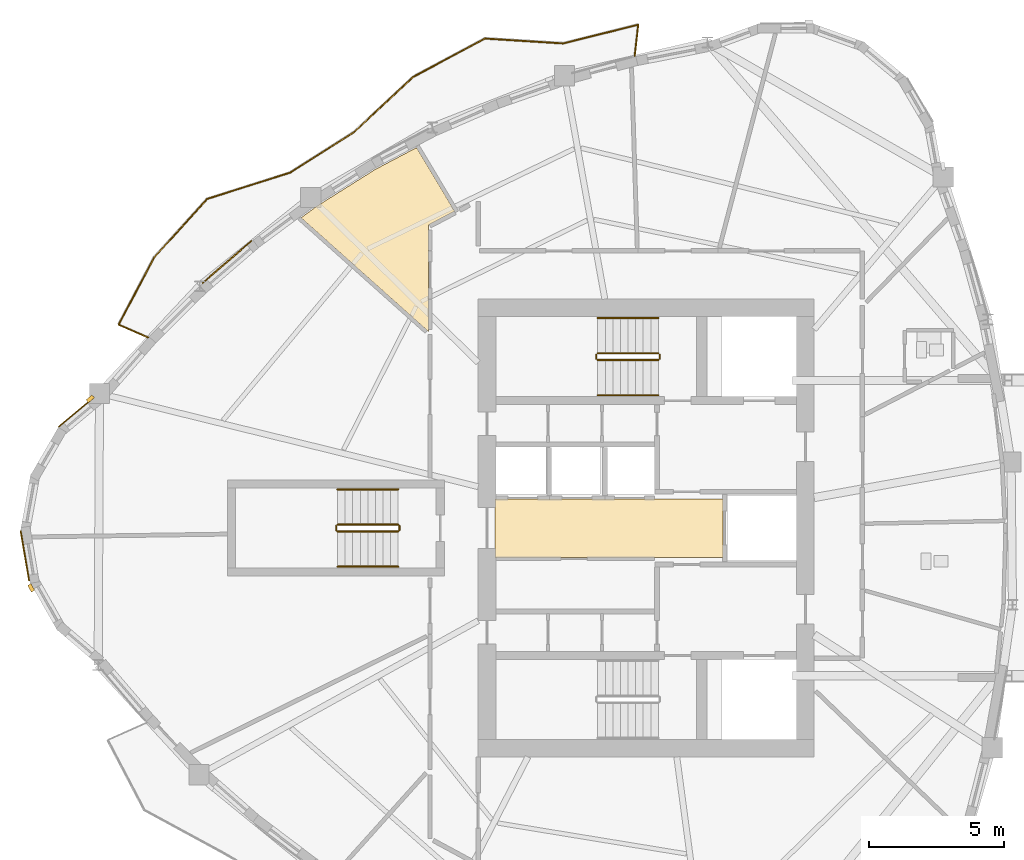
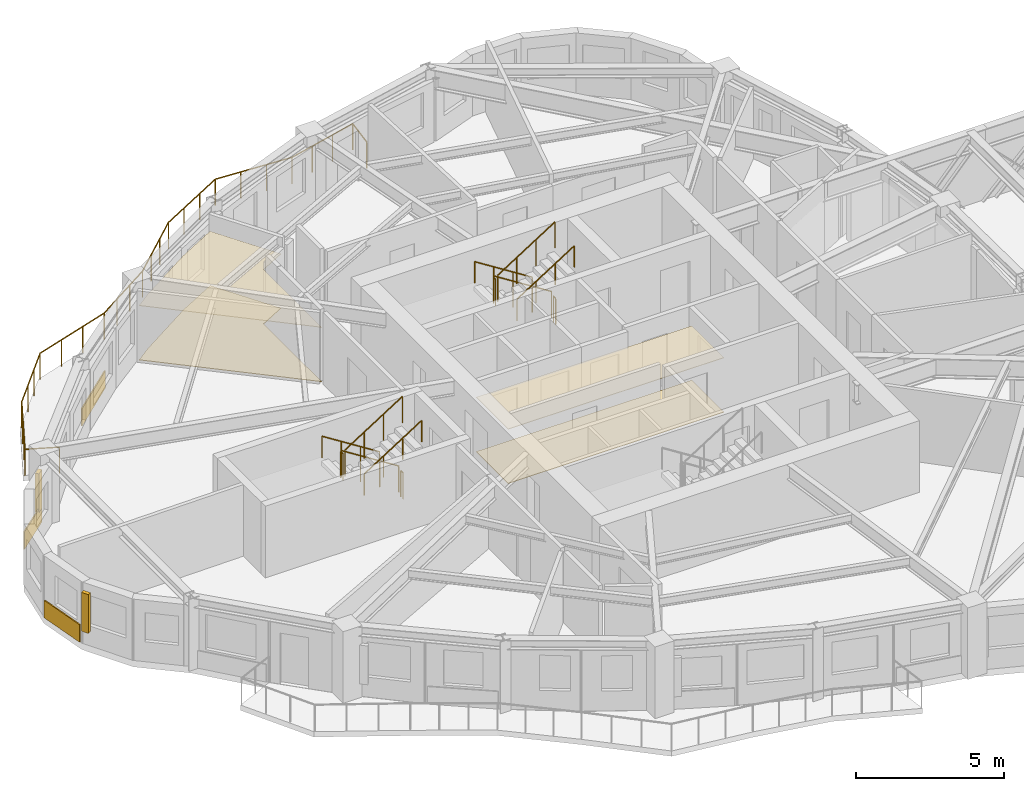
# One storey, part 11 of 13: 13 railings, 7 coverings, 2 shading devices.
"""IFC4 building model written with IfcOpenShell, lengths in metres."""

from ifc_helpers import new_model, si_unit, direction, frame, origin, origin_2d, place, context, subcontext, project, spatial, polyline, rectangle, circle, outline, extrude, source, transform, mapped, material, layer, layer_set, type_object, element, save


model = new_model("IFC4")

# Units and contexts
model_context = context("Model", 3, precision=1e-05, world=origin(), true_north=direction((0.0, 1.0)))
body_context = subcontext(model_context, "Body", "Model", "MODEL_VIEW")
ifc_project = project(units=[si_unit("LENGTHUNIT", "METRE"), si_unit("AREAUNIT", "SQUARE_METRE"), si_unit("VOLUMEUNIT", "CUBIC_METRE"), si_unit("PLANEANGLEUNIT", "RADIAN"), si_unit("MASSUNIT", "GRAM", prefix="KILO")], contexts=[model_context])

# Site, building, storey
site_placement = place(None, origin())
site = spatial("IfcSite", under=ifc_project, at=site_placement, CompositionType="ELEMENT")
building_placement = place(site_placement, origin())
building = spatial("IfcBuilding", under=site, at=building_placement, Name="Qafzar Sky-Pleat Residences", CompositionType="ELEMENT")
storey_placement = place(building_placement, frame((0.0, 0.0, 158.60009765625)))
storey = spatial("IfcBuildingStorey", under=building, at=storey_placement, Name="L47", CompositionType="ELEMENT", Elevation=158.60009765625)

# Coverings
ifc_material_1 = material(Name="Perforated acoustic gypsum board ceiling")
ifc_layer_1 = layer(ifc_material_1, 0.02001953125)
ifc_layer_set_1 = layer_set([ifc_layer_1], Name="Perforated acoustic gypsum board ceiling")
covering_type_1 = type_object("IfcCoveringType", Name="COV-CEIL-ACOUSTIC", PredefinedType="CEILING", material=ifc_layer_set_1)
covering_1_placement = place(storey_placement, frame((0.0, 0.0, 2.239990234375)))
element("IfcCovering", 1, at=covering_1_placement, inside=storey, type_object=covering_type_1, Name="L47 Passenger Lift Lobby Acoustic Ceiling", PredefinedType="CEILING", context=body_context, shape_type="SweptSolid", body=[
    extrude(outline(polyline([(33.179931640625, 24.919921875), (24.77001953125, 24.919921875), (24.77001953125, 27.080078125), (33.179931640625, 27.080078125), (33.179931640625, 24.919921875)])), origin(), (0.0, 0.0, 1.0), 0.02001953125),
])
covering_2_placement = place(storey_placement, frame((0.0, 0.0, 2.239990234375)))
element("IfcCovering", 2, at=covering_2_placement, inside=storey, type_object=covering_type_1, Name="L47 Communal Kitchen Acoustic Ceiling", PredefinedType="CEILING", context=body_context, shape_type="SweptSolid", body=[
    extrude(outline(polyline([(18.1875, 37.873291015625), (20.35693359375, 39.238037109375), (21.875244140625, 40.039306640625), (23.279296875, 37.693603515625), (22.31005859375, 37.181884765625), (22.31005859375, 33.2578125), (17.614990234375, 37.44921875), (18.1875, 37.873291015625)])), origin(), (0.0, 0.0, 1.0), 0.02001953125),
])
ifc_material_2 = material(Name="Honed porcelain and Riyadh stone tile flooring", Category="masonry")
ifc_layer_2 = layer(ifc_material_2, 0.02001953125)
ifc_layer_set_2 = layer_set([ifc_layer_2], Name="Honed porcelain and Riyadh stone tile flooring")
covering_type_2 = type_object("IfcCoveringType", Name="COV-FLR-PORCELAIN", PredefinedType="FLOORING", material=ifc_layer_set_2)
covering_3_placement = place(storey_placement, origin())
element("IfcCovering", 3, at=covering_3_placement, inside=storey, type_object=covering_type_2, Name="L47 Passenger Lift Lobby Honed Stone Flooring", PredefinedType="FLOORING", context=body_context, shape_type="SweptSolid", body=[
    extrude(outline(polyline([(33.179931640625, 24.919921875), (24.77001953125, 24.919921875), (24.77001953125, 27.080078125), (33.179931640625, 27.080078125), (33.179931640625, 24.919921875)])), origin(), (0.0, 0.0, 1.0), 0.02001953125),
])
covering_4_placement = place(storey_placement, origin())
element("IfcCovering", 4, at=covering_4_placement, inside=storey, type_object=covering_type_2, Name="L47 Communal Kitchen Honed Stone Flooring", PredefinedType="FLOORING", context=body_context, shape_type="SweptSolid", body=[
    extrude(outline(polyline([(18.1875, 37.873291015625), (20.35693359375, 39.238037109375), (21.875244140625, 40.039306640625), (23.279296875, 37.693603515625), (22.31005859375, 37.181884765625), (22.31005859375, 33.2578125), (17.614990234375, 37.44921875), (18.1875, 37.873291015625)])), origin(), (0.0, 0.0, 1.0), 0.02001953125),
])

# Shading devices
ifc_material_3 = material(Name="Honed Riyadh limestone solar fin", Category="masonry")
ifc_layer_3 = layer(ifc_material_3, 0.139892578125)
ifc_layer_set_3 = layer_set([ifc_layer_3], Name="Honed Riyadh limestone solar fin")
shading_device_type = type_object("IfcShadingDeviceType", Name="SHD-FIN-STONE", PredefinedType="SHUTTER", material=ifc_layer_set_3)
shared_shape_1 = source(origin(), body_context, "Body", "SweptSolid", [
    extrude(rectangle(XDim=0.139892578125, YDim=0.280029296875, at=origin_2d()), origin(), (0.0, 0.0, 1.0), 1.60009765625),
])
for number, where, z_axis, x_axis, name in (
    (5, (9.833740234375, 30.767333984375, 0.599853515625), (0.0, 0.0, 1.0), (-0.642203231287, 0.766534415225, 0.0), "L47 Limestone Solar Fin 1"),
    (6, (7.65185546875, 23.7919921875, 0.599853515625), (0.0, 0.0, 1.0), (-0.86961473554, -0.493730910245, 0.0), "L47 Limestone Solar Fin 5"),
):
    element("IfcShadingDevice", number, at=place(storey_placement, frame(where, z_axis=z_axis, x_axis=x_axis)), inside=storey, type_object=shading_device_type, Name=name, PredefinedType="SHUTTER", context=body_context, shape_type="MappedRepresentation", body=[
        mapped(shared_shape_1, transform((0.0, 0.0, 0.0), x_axis=(1.0, 0.0, 0.0), y_axis=(0.0, 1.0, 0.0), z_axis=(0.0, 0.0, 1.0), scale=1.0)),
    ])

# Covering
ifc_material_4 = material(Name="Honed Riyadh Tuwaiq limestone cladding", Category="masonry")
ifc_layer_4 = layer(ifc_material_4, 0.044921875)
ifc_layer_set_4 = layer_set([ifc_layer_4], Name="Honed Riyadh Tuwaiq limestone cladding")
covering_type_3 = type_object("IfcCoveringType", Name="COV-CLAD-STONE", PredefinedType="CLADDING", material=ifc_layer_set_4)
shared_shape_2 = source(origin(), body_context, "Body", "SweptSolid", [
    extrude(rectangle(XDim=1.873046875, YDim=0.044921875, at=origin_2d()), origin(), (0.0, 0.0, 1.0), 0.719970703125),
])
covering_5_placement = place(storey_placement, frame((7.420654296875, 24.98046875, 0.02001953125), z_axis=(0.0, 0.0, 1.0), x_axis=(0.168083505524, -0.985772760412, 0.0)))
element("IfcCovering", 7, at=covering_5_placement, inside=storey, type_object=covering_type_3, Name="L47 Riyadh Limestone Spandrel Cladding 4", PredefinedType="CLADDING", context=body_context, shape_type="MappedRepresentation", body=[
    mapped(shared_shape_2, transform((0.0, 0.0, 0.0), x_axis=(1.0, 0.0, 0.0), y_axis=(0.0, 1.0, 0.0), z_axis=(0.0, 0.0, 1.0), scale=1.0)),
])

# Railing
ifc_material_5 = material(Name="Laminated glass and bronze steel balustrade", Category="steel")
railing_type_1 = type_object("IfcRailingType", Name="RAIL-BAL-1100", PredefinedType="BALUSTRADE", material=ifc_material_5)
shared_shape_3 = source(origin(), body_context, "Body", "SweptSolid", [
    extrude(circle(Radius=0.02392578125, at=origin_2d()), frame((0.0, 0.0, 1.076171875), z_axis=(0.11004483681, 0.993926623998, 0.0), x_axis=(-0.993926623998, 0.11004483681, 0.0)), (0.0, 0.0, 1.0), 1.177978515625),
    extrude(circle(Radius=0.02392578125, at=origin_2d()), frame((0.129638671875, 1.1708984375, 1.076171875), z_axis=(-0.970082042591, -0.242777327284, 0.0), x_axis=(0.242777327284, -0.970082042591, 0.0)), (0.0, 0.0, 1.0), 2.851806640625),
    extrude(circle(Radius=0.02392578125, at=origin_2d()), frame((-2.636962890625, 0.478515625, 1.076171875), z_axis=(-0.998049951863, 0.062420297868, 0.0), x_axis=(-0.062420297868, -0.998049951863, 0.0)), (0.0, 0.0, 1.0), 2.894287109375),
    extrude(circle(Radius=0.02392578125, at=origin_2d()), frame((-5.525634765625, 0.6591796875, 1.076171875), z_axis=(-0.881675957054, -0.471855387542, 0.0), x_axis=(0.471855387542, -0.881675957054, 0.0)), (0.0, 0.0, 1.0), 2.998779296875),
    extrude(circle(Radius=0.02392578125, at=origin_2d()), frame((-8.169677734375, -0.755859375, 1.076171875), z_axis=(-0.731104069818, -0.68226595921, 0.0), x_axis=(0.68226595921, -0.731104069818, 0.0)), (0.0, 0.0, 1.0), 2.994384765625),
    extrude(circle(Radius=0.02392578125, at=origin_2d()), frame((-10.35888671875, -2.798828125, 1.076171875), z_axis=(-0.84478081751, -0.535112483845, 0.0), x_axis=(0.535112483845, -0.84478081751, 0.0)), (0.0, 0.0, 1.0), 2.78857421875),
    extrude(circle(Radius=0.02392578125, at=origin_2d()), frame((-12.714599609375, -4.291015625, 1.076171875), z_axis=(-0.95361375082, -0.301032912232, 0.0), x_axis=(0.301032912232, -0.95361375082, 0.0)), (0.0, 0.0, 1.0), 3.204345703125),
    extrude(circle(Radius=0.02392578125, at=origin_2d()), frame((-15.770263671875, -5.255615234375, 1.076171875), z_axis=(-0.671990754736, -0.740559535452, 0.0), x_axis=(0.740559535452, -0.671990754736, 0.0)), (0.0, 0.0, 1.0), 2.923095703125),
    extrude(circle(Radius=0.02392578125, at=origin_2d()), frame((-17.734619140625, -7.42041015625, 1.076171875), z_axis=(-0.466601399342, -0.884467712318, 0.0), x_axis=(0.884467712318, -0.466601399342, 0.0)), (0.0, 0.0, 1.0), 2.80029296875),
    extrude(circle(Radius=0.02392578125, at=origin_2d()), frame((-19.041259765625, -9.897216796875, 1.076171875), z_axis=(0.915724007861, -0.401807841422, 0.0), x_axis=(0.401807841422, 0.915724007861, 0.0)), (0.0, 0.0, 1.0), 1.17822265625),
    extrude(circle(Radius=0.02099609375, at=origin_2d()), origin(), (0.0, 0.0, 1.0), 1.052001953125),
    extrude(circle(Radius=0.02099609375, at=origin_2d()), frame((0.129638671875, 1.1708984375, 0.0)), (0.0, 0.0, 1.0), 1.052001953125),
    extrude(circle(Radius=0.02099609375, at=origin_2d()), frame((-0.79248046875, 0.940185546875, 0.0)), (0.0, 0.0, 1.0), 1.052001953125),
    extrude(circle(Radius=0.02099609375, at=origin_2d()), frame((-1.71484375, 0.709228515625, 0.0)), (0.0, 0.0, 1.0), 1.052001953125),
    extrude(circle(Radius=0.02099609375, at=origin_2d()), frame((-2.636962890625, 0.478515625, 0.0)), (0.0, 0.0, 1.0), 1.052001953125),
    extrude(circle(Radius=0.02099609375, at=origin_2d()), frame((-3.599853515625, 0.538818359375, 0.0)), (0.0, 0.0, 1.0), 1.052001953125),
    extrude(circle(Radius=0.02099609375, at=origin_2d()), frame((-4.562744140625, 0.598876953125, 0.0)), (0.0, 0.0, 1.0), 1.052001953125),
    extrude(circle(Radius=0.02099609375, at=origin_2d()), frame((-5.525634765625, 0.6591796875, 0.0)), (0.0, 0.0, 1.0), 1.052001953125),
    extrude(circle(Radius=0.02099609375, at=origin_2d()), frame((-6.406982421875, 0.1875, 0.0)), (0.0, 0.0, 1.0), 1.052001953125),
    extrude(circle(Radius=0.02099609375, at=origin_2d()), frame((-7.288330078125, -0.2841796875, 0.0)), (0.0, 0.0, 1.0), 1.052001953125),
    extrude(circle(Radius=0.02099609375, at=origin_2d()), frame((-8.169677734375, -0.755859375, 0.0)), (0.0, 0.0, 1.0), 1.052001953125),
    extrude(circle(Radius=0.02099609375, at=origin_2d()), frame((-8.8994140625, -1.436767578125, 0.0)), (0.0, 0.0, 1.0), 1.052001953125),
    extrude(circle(Radius=0.02099609375, at=origin_2d()), frame((-9.629150390625, -2.117919921875, 0.0)), (0.0, 0.0, 1.0), 1.052001953125),
    extrude(circle(Radius=0.02099609375, at=origin_2d()), frame((-10.35888671875, -2.798828125, 0.0)), (0.0, 0.0, 1.0), 1.052001953125),
    extrude(circle(Radius=0.02099609375, at=origin_2d()), frame((-11.14404296875, -3.296142578125, 0.0)), (0.0, 0.0, 1.0), 1.052001953125),
    extrude(circle(Radius=0.02099609375, at=origin_2d()), frame((-11.929443359375, -3.793701171875, 0.0)), (0.0, 0.0, 1.0), 1.052001953125),
    extrude(circle(Radius=0.02099609375, at=origin_2d()), frame((-12.714599609375, -4.291015625, 0.0)), (0.0, 0.0, 1.0), 1.052001953125),
    extrude(circle(Radius=0.02099609375, at=origin_2d()), frame((-13.733154296875, -4.612548828125, 0.0)), (0.0, 0.0, 1.0), 1.052001953125),
    extrude(circle(Radius=0.02099609375, at=origin_2d()), frame((-14.751708984375, -4.93408203125, 0.0)), (0.0, 0.0, 1.0), 1.052001953125),
    extrude(circle(Radius=0.02099609375, at=origin_2d()), frame((-15.770263671875, -5.255615234375, 0.0)), (0.0, 0.0, 1.0), 1.052001953125),
    extrude(circle(Radius=0.02099609375, at=origin_2d()), frame((-16.425048828125, -5.977294921875, 0.0)), (0.0, 0.0, 1.0), 1.052001953125),
    extrude(circle(Radius=0.02099609375, at=origin_2d()), frame((-17.079833984375, -6.69873046875, 0.0)), (0.0, 0.0, 1.0), 1.052001953125),
    extrude(circle(Radius=0.02099609375, at=origin_2d()), frame((-17.734619140625, -7.42041015625, 0.0)), (0.0, 0.0, 1.0), 1.052001953125),
    extrude(circle(Radius=0.02099609375, at=origin_2d()), frame((-18.170166015625, -8.24609375, 0.0)), (0.0, 0.0, 1.0), 1.052001953125),
    extrude(circle(Radius=0.02099609375, at=origin_2d()), frame((-18.605712890625, -9.071533203125, 0.0)), (0.0, 0.0, 1.0), 1.052001953125),
    extrude(circle(Radius=0.02099609375, at=origin_2d()), frame((-19.041259765625, -9.897216796875, 0.0)), (0.0, 0.0, 1.0), 1.052001953125),
    extrude(circle(Radius=0.02099609375, at=origin_2d()), frame((-17.96240234375, -10.37060546875, 0.0)), (0.0, 0.0, 1.0), 1.052001953125),
])
railing_placement = place(storey_placement, frame((29.92578125, 43.405517578125, 0.0)))
element("IfcRailing", 8, at=railing_placement, inside=storey, type_object=railing_type_1, Name="L47 Pleated Balcony 1 Balustrade", PredefinedType="BALUSTRADE", context=body_context, shape_type="MappedRepresentation", body=[
    mapped(shared_shape_3, transform((0.0, 0.0, 0.0), x_axis=(1.0, 0.0, 0.0), y_axis=(0.0, 1.0, 0.0), z_axis=(0.0, 0.0, 1.0), scale=1.0)),
])

# Coverings
shared_shape_4 = source(origin(), body_context, "Body", "SweptSolid", [
    extrude(rectangle(XDim=1.69921875, YDim=0.044921875, at=origin_2d()), origin(), (0.0, 0.0, 1.0), 0.719970703125),
])
covering_6_placement = place(storey_placement, frame((9.317138671875, 30.2783203125, 0.02001953125), z_axis=(0.0, 0.0, 1.0), x_axis=(-0.766569099279, -0.642161830095, 0.0)))
element("IfcCovering", 9, at=covering_6_placement, inside=storey, type_object=covering_type_3, Name="L47 Riyadh Limestone Spandrel Cladding 1", PredefinedType="CLADDING", context=body_context, shape_type="MappedRepresentation", body=[
    mapped(shared_shape_4, transform((0.0, 0.0, 0.0), x_axis=(1.0, 0.0, 0.0), y_axis=(0.0, 1.0, 0.0), z_axis=(0.0, 0.0, 1.0), scale=1.0)),
])
shared_shape_5 = source(origin(), body_context, "Body", "SweptSolid", [
    extrude(rectangle(XDim=2.3896484375, YDim=0.044921875, at=origin_2d()), origin(), (0.0, 0.0, 1.0), 0.719970703125),
])
covering_7_placement = place(storey_placement, frame((14.8798828125, 35.81884765625, 0.02001953125), z_axis=(0.0, 0.0, 1.0), x_axis=(-0.757480604113, -0.652857667791, 0.0)))
element("IfcCovering", 10, at=covering_7_placement, inside=storey, type_object=covering_type_3, Name="L47 Riyadh Limestone Spandrel Cladding 46", PredefinedType="CLADDING", context=body_context, shape_type="MappedRepresentation", body=[
    mapped(shared_shape_5, transform((0.0, 0.0, 0.0), x_axis=(1.0, 0.0, 0.0), y_axis=(0.0, 1.0, 0.0), z_axis=(0.0, 0.0, 1.0), scale=1.0)),
])

# Railings
ifc_material_6 = material(Name="Painted Steel S355 stair guardrail", Category="steel")
railing_type_2 = type_object("IfcRailingType", Name="RAIL-STAIR-GUARD", PredefinedType="GUARDRAIL", material=ifc_material_6)
shared_shape_6 = source(origin(), body_context, "Body", "SweptSolid", [
    extrude(circle(Radius=0.02392578125, at=origin_2d()), frame((0.0, 0.0, 1.076171875), z_axis=(0.0, -1.0, 0.0), x_axis=(1.0, 0.0, 0.0)), (0.0, 0.0, 1.0), 0.14990234375),
    extrude(circle(Radius=0.02099609375, at=origin_2d()), origin(), (0.0, 0.0, 1.0), 1.052001953125),
    extrude(circle(Radius=0.02099609375, at=origin_2d()), frame((0.0, -0.14990234375, 0.0)), (0.0, 0.0, 1.0), 1.052001953125),
])
for number, where, name in (
    (11, (28.510009765625, 32.39990234375, 1.599853515625), "L47 ST2 stair guard 2"),
    (12, (30.85009765625, 32.39990234375, 0.0), "L47 ST2 stair guard 4"),
    (13, (18.909912109375, 26.074951171875, 1.599853515625), "L47 ST3 stair guard 2"),
    (14, (21.25, 26.074951171875, 0.0), "L47 ST3 stair guard 4"),
):
    element("IfcRailing", number, at=place(storey_placement, frame(where)), inside=storey, type_object=railing_type_2, Name=name, PredefinedType="GUARDRAIL", context=body_context, shape_type="MappedRepresentation", body=[
        mapped(shared_shape_6, transform((0.0, 0.0, 0.0), x_axis=(1.0, 0.0, 0.0), y_axis=(0.0, 1.0, 0.0), z_axis=(0.0, 0.0, 1.0), scale=1.0)),
    ])
shared_shape_7 = source(origin(), body_context, "Body", "SweptSolid", [
    extrude(circle(Radius=0.02392578125, at=origin_2d()), frame((0.0, 0.0, 1.076171875), z_axis=(-0.8442293374, 0.0, 0.53598211339), x_axis=(0.0, -1.0, 0.0)), (0.0, 0.0, 1.0), 2.6533203125),
    extrude(circle(Radius=0.02099609375, at=origin_2d()), origin(), (0.0, 0.0, 1.0), 1.052001953125),
    extrude(circle(Radius=0.02099609375, at=origin_2d()), frame((-0.74658203125, 0.0, 0.47412109375)), (0.0, 0.0, 1.0), 1.052001953125),
    extrude(circle(Radius=0.02099609375, at=origin_2d()), frame((-1.493408203125, 0.0, 0.947998046875)), (0.0, 0.0, 1.0), 1.052001953125),
    extrude(circle(Radius=0.02099609375, at=origin_2d()), frame((-2.239990234375, 0.0, 1.422119140625)), (0.0, 0.0, 1.0), 1.052001953125),
])
for number, where, name in (
    (15, (30.800048828125, 32.449951171875, 0.177734375), "L47 ST2 stair guard 1"),
    (16, (21.199951171875, 26.125, 0.177734375), "L47 ST3 stair guard 1"),
):
    element("IfcRailing", number, at=place(storey_placement, frame(where)), inside=storey, type_object=railing_type_2, Name=name, PredefinedType="GUARDRAIL", context=body_context, shape_type="MappedRepresentation", body=[
        mapped(shared_shape_7, transform((0.0, 0.0, 0.0), x_axis=(1.0, 0.0, 0.0), y_axis=(0.0, 1.0, 0.0), z_axis=(0.0, 0.0, 1.0), scale=1.0)),
    ])
ifc_material_7 = material(Name="Brushed stainless steel handrail", Category="steel")
railing_type_3 = type_object("IfcRailingType", Name="RAIL-STAIR-HAND", PredefinedType="HANDRAIL", material=ifc_material_7)
shared_shape_8 = source(origin(), body_context, "Body", "SweptSolid", [
    extrude(circle(Radius=0.02392578125, at=origin_2d()), frame((0.0, 0.0, 0.8759765625), z_axis=(-0.8442293374, 0.0, 0.53598211339), x_axis=(0.0, -1.0, 0.0)), (0.0, 0.0, 1.0), 2.6533203125),
    extrude(circle(Radius=0.02099609375, at=origin_2d()), origin(), (0.0, 0.0, 1.0), 0.851806640625),
    extrude(circle(Radius=0.02099609375, at=origin_2d()), frame((-0.74658203125, 0.0, 0.47412109375)), (0.0, 0.0, 1.0), 0.851806640625),
    extrude(circle(Radius=0.02099609375, at=origin_2d()), frame((-1.493408203125, 0.0, 0.947998046875)), (0.0, 0.0, 1.0), 0.851806640625),
    extrude(circle(Radius=0.02099609375, at=origin_2d()), frame((-2.239990234375, 0.0, 1.422119140625)), (0.0, 0.0, 1.0), 0.851806640625),
])
for number, where, name in (
    (17, (30.800048828125, 33.75, 0.177734375), "L47 ST2 stair handrail 1"),
    (18, (21.199951171875, 27.425048828125, 0.177734375), "L47 ST3 stair handrail 1"),
):
    element("IfcRailing", number, at=place(storey_placement, frame(where)), inside=storey, type_object=railing_type_3, Name=name, PredefinedType="HANDRAIL", context=body_context, shape_type="MappedRepresentation", body=[
        mapped(shared_shape_8, transform((0.0, 0.0, 0.0), x_axis=(1.0, 0.0, 0.0), y_axis=(0.0, 1.0, 0.0), z_axis=(0.0, 0.0, 1.0), scale=1.0)),
    ])
shared_shape_9 = source(origin(), body_context, "Body", "SweptSolid", [
    extrude(circle(Radius=0.02392578125, at=origin_2d()), frame((0.0, 0.0, 1.076171875), z_axis=(0.84418770128, 0.0, 0.536047689118), x_axis=(0.0, 1.0, 0.0)), (0.0, 0.0, 1.0), 2.6533203125),
    extrude(circle(Radius=0.02099609375, at=origin_2d()), origin(), (0.0, 0.0, 1.0), 1.052001953125),
    extrude(circle(Radius=0.02099609375, at=origin_2d()), frame((0.74658203125, 0.0, 0.47412109375)), (0.0, 0.0, 1.0), 1.052001953125),
    extrude(circle(Radius=0.02099609375, at=origin_2d()), frame((1.493408203125, 0.0, 0.9482421875)), (0.0, 0.0, 1.0), 1.052001953125),
    extrude(circle(Radius=0.02099609375, at=origin_2d()), frame((2.239990234375, 0.0, 1.42236328125)), (0.0, 0.0, 1.0), 1.052001953125),
])
for number, where, name in (
    (19, (28.56005859375, 32.199951171875, 1.777587890625), "L47 ST2 stair guard 3"),
    (20, (18.9599609375, 25.875, 1.777587890625), "L47 ST3 stair guard 3"),
):
    element("IfcRailing", number, at=place(storey_placement, frame(where)), inside=storey, type_object=railing_type_2, Name=name, PredefinedType="GUARDRAIL", context=body_context, shape_type="MappedRepresentation", body=[
        mapped(shared_shape_9, transform((0.0, 0.0, 0.0), x_axis=(1.0, 0.0, 0.0), y_axis=(0.0, 1.0, 0.0), z_axis=(0.0, 0.0, 1.0), scale=1.0)),
    ])
shared_shape_10 = source(origin(), body_context, "Body", "SweptSolid", [
    extrude(circle(Radius=0.02392578125, at=origin_2d()), frame((0.0, 0.0, 0.8759765625), z_axis=(0.84418770128, 0.0, 0.536047689118), x_axis=(0.0, 1.0, 0.0)), (0.0, 0.0, 1.0), 2.6533203125),
    extrude(circle(Radius=0.02099609375, at=origin_2d()), origin(), (0.0, 0.0, 1.0), 0.851806640625),
    extrude(circle(Radius=0.02099609375, at=origin_2d()), frame((0.74658203125, 0.0, 0.47412109375)), (0.0, 0.0, 1.0), 0.851806640625),
    extrude(circle(Radius=0.02099609375, at=origin_2d()), frame((1.493408203125, 0.0, 0.9482421875)), (0.0, 0.0, 1.0), 0.851806640625),
    extrude(circle(Radius=0.02099609375, at=origin_2d()), frame((2.239990234375, 0.0, 1.42236328125)), (0.0, 0.0, 1.0), 0.851806640625),
])
for number, where, name in (
    (21, (28.56005859375, 30.89990234375, 1.777587890625), "L47 ST2 stair handrail 2"),
    (22, (18.9599609375, 24.574951171875, 1.777587890625), "L47 ST3 stair handrail 2"),
):
    element("IfcRailing", number, at=place(storey_placement, frame(where)), inside=storey, type_object=railing_type_3, Name=name, PredefinedType="HANDRAIL", context=body_context, shape_type="MappedRepresentation", body=[
        mapped(shared_shape_10, transform((0.0, 0.0, 0.0), x_axis=(1.0, 0.0, 0.0), y_axis=(0.0, 1.0, 0.0), z_axis=(0.0, 0.0, 1.0), scale=1.0)),
    ])

save(model, "model.ifc")
